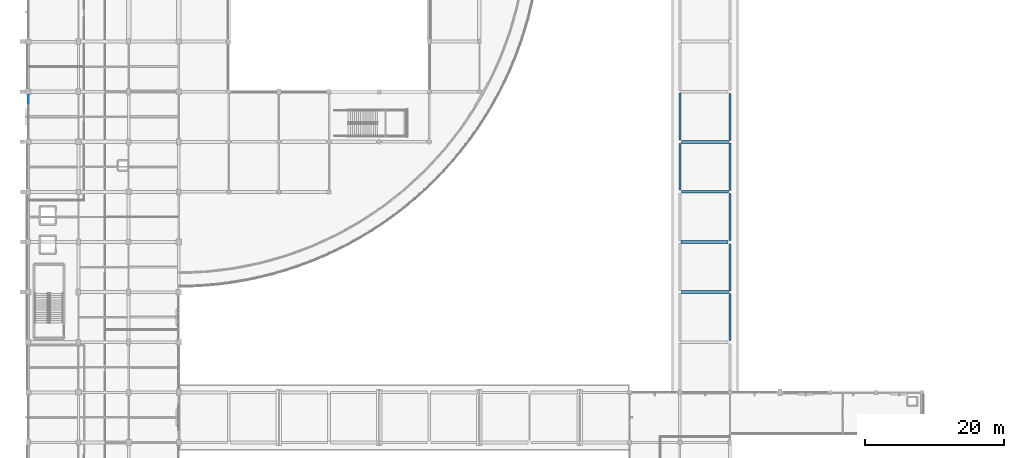
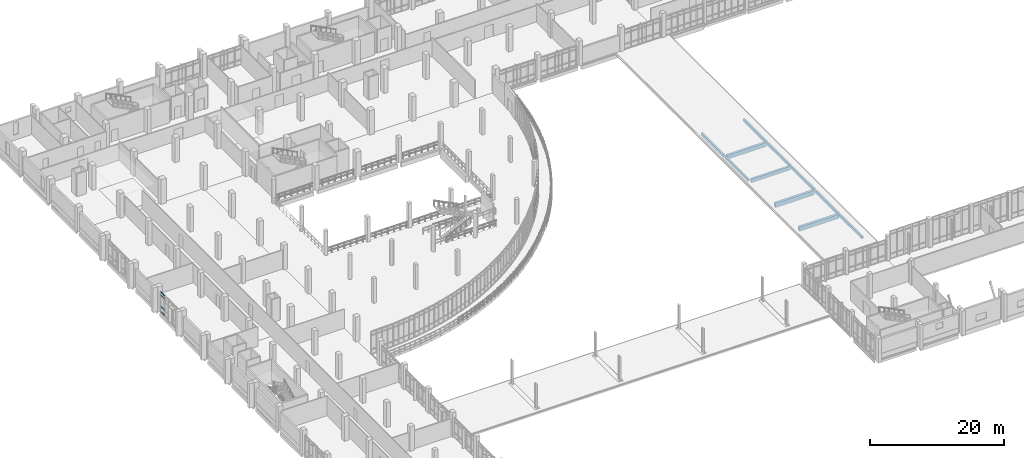
# One storey, part 47 of 134: 11 beams, 4 members, 1 element without a shape of its own.
"""IFC4 building model written with IfcOpenShell, lengths in metres."""

from ifc_helpers import new_model, si_unit, direction, frame, origin, origin_2d, place, context, subcontext, project, spatial, rectangle, hollow_rectangle, extrude, material, material_profile, profile_set, type_object, element, aggregate, save


model = new_model("IFC4")

# Units and contexts
model_context = context("Model", 3, precision=1e-05, world=origin(), true_north=direction((0.0, 1.0)))
body_context = subcontext(model_context, "Body", "Model", "MODEL_VIEW")
ifc_project = project(units=[si_unit("LENGTHUNIT", "METRE"), si_unit("AREAUNIT", "SQUARE_METRE"), si_unit("VOLUMEUNIT", "CUBIC_METRE"), si_unit("PLANEANGLEUNIT", "RADIAN"), si_unit("MASSUNIT", "GRAM", prefix="KILO")], contexts=[model_context])

# Site, building, storey
site_placement = place(None, origin())
site = spatial("IfcSite", under=ifc_project, at=site_placement, CompositionType="ELEMENT")
building_placement = place(site_placement, origin())
building = spatial("IfcBuilding", under=site, at=building_placement, Name="Kalluvel Institute of Natural Sciences", CompositionType="ELEMENT")
storey_placement = place(building_placement, frame((0.0, 0.0, 5.39990234375)))
storey = spatial("IfcBuildingStorey", under=building, at=storey_placement, Name="L01", CompositionType="ELEMENT", Elevation=5.39990234375)

# Beams
ifc_material_1 = material(Name="Concrete M40", Category="concrete")
ifc_material_profile_1 = material_profile(ifc_material_1, rectangle(XDim=0.3798828125, YDim=0.639892578125, at=origin_2d()), Name="RCB 380x640")
ifc_profile_set_1 = profile_set([ifc_material_profile_1], Name="Concrete M40")
beam_type_1 = type_object("IfcBeamType", Name="BM-RC380x640", PredefinedType="BEAM", material=ifc_profile_set_1)
beam_1_placement = place(storey_placement, frame((107.85009765625, 64.39990234375, -0.559814453125), z_axis=(1.0, 0.0, 0.0), x_axis=(0.0, 1.0, 0.0)))
element("IfcBeam", 1, at=beam_1_placement, inside=storey, type_object=beam_type_1, Name="L01 girder GIR-L01-EW-X1076-Y644", PredefinedType="BEAM", context=body_context, shape_type="SweptSolid", body=[
    extrude(rectangle(XDim=0.3798828125, YDim=0.639892578125, at=origin_2d()), origin(), (0.0, 0.0, 1.0), 6.724853515625),
])
ifc_material_profile_2 = material_profile(ifc_material_1, rectangle(XDim=0.419921875, YDim=0.719970703125, at=origin_2d()), Name="RCB 420x720")
ifc_profile_set_2 = profile_set([ifc_material_profile_2], Name="Concrete M40")
beam_type_2 = type_object("IfcBeamType", Name="BM-RC420x720", PredefinedType="BEAM", material=ifc_profile_set_2)
beam_2_placement = place(storey_placement, frame((107.824951171875, 71.60009765625, -0.599853515625), z_axis=(1.0, 0.0, 0.0), x_axis=(0.0, 1.0, 0.0)))
element("IfcBeam", 2, at=beam_2_placement, inside=storey, type_object=beam_type_2, Name="L01 girder GIR-L01-EW-X1076-Y716", PredefinedType="BEAM", context=body_context, shape_type="SweptSolid", body=[
    extrude(rectangle(XDim=0.419921875, YDim=0.719970703125, at=origin_2d()), origin(), (0.0, 0.0, 1.0), 6.775146484375),
])
ifc_material_profile_3 = material_profile(ifc_material_1, rectangle(XDim=0.449951171875, YDim=0.75, at=origin_2d()), Name="RCB 450x750")
ifc_profile_set_3 = profile_set([ifc_material_profile_3], Name="Concrete M40")
beam_type_3 = type_object("IfcBeamType", Name="BM-RC450x750", PredefinedType="BEAM", material=ifc_profile_set_3)
beam_3_placement = place(storey_placement, frame((107.824951171875, 50.0, -0.614990234375), z_axis=(1.0, 0.0, 0.0), x_axis=(0.0, 1.0, 0.0)))
element("IfcBeam", 3, at=beam_3_placement, inside=storey, type_object=beam_type_3, Name="L01 girder GIR-L01-EW-X1076-Y500", PredefinedType="BEAM", context=body_context, shape_type="SweptSolid", body=[
    extrude(rectangle(XDim=0.449951171875, YDim=0.75, at=origin_2d()), origin(), (0.0, 0.0, 1.0), 6.775146484375),
])
ifc_material_profile_4 = material_profile(ifc_material_1, rectangle(XDim=0.449951171875, YDim=0.800048828125, at=origin_2d()), Name="RCB 450x800")
ifc_profile_set_4 = profile_set([ifc_material_profile_4], Name="Concrete M40")
beam_type_4 = type_object("IfcBeamType", Name="BM-RC450x800", PredefinedType="BEAM", material=ifc_profile_set_4)
beam_4_placement = place(storey_placement, frame((107.800048828125, 57.199951171875, -0.639892578125), z_axis=(1.0, 0.0, 0.0), x_axis=(0.0, 1.0, 0.0)))
element("IfcBeam", 4, at=beam_4_placement, inside=storey, type_object=beam_type_4, Name="L01 girder GIR-L01-EW-X1076-Y572", PredefinedType="BEAM", context=body_context, shape_type="SweptSolid", body=[
    extrude(rectangle(XDim=0.449951171875, YDim=0.800048828125, at=origin_2d()), origin(), (0.0, 0.0, 1.0), 6.75),
])

# Curtain wall, members
ifc_material_2 = material(Name="Aluminium AW-6063 T6", Category="aluminium")
curtain_wall_type = type_object("IfcCurtainWallType", Name="CW-DRY-45", PredefinedType="USERDEFINED", material=ifc_material_2)
curtain_wall_placement = place(storey_placement, origin())
curtain_wall = element("IfcCurtainWall", 5, at=curtain_wall_placement, inside=storey, type_object=curtain_wall_type, Name="L01 Gothic lancet curtain wall CWA-L01-X140-Y720", ObjectType="UNITISED LANCET FACADE", PredefinedType="USERDEFINED")
ifc_material_profile_5 = material_profile(ifc_material_2, hollow_rectangle(XDim=0.06494140625, YDim=0.139892578125, WallThickness=0.00439453125, at=origin_2d()), Name="CWT 65x140")
ifc_profile_set_5 = profile_set([ifc_material_profile_5], Name="Aluminium AW-6063 T6")
member_type = type_object("IfcMemberType", Name="CWT-65x140", PredefinedType="USERDEFINED", material=ifc_profile_set_5)
member_1_placement = place(storey_placement, frame((14.0, 77.117431640625, 0.03271484375), z_axis=(0.0, 1.0, 0.0), x_axis=(-1.0, 0.0, 0.0)))
member_1 = element("IfcMember", 6, at=member_1_placement, type_object=member_type, Name="CW-03 transom 5.1", ObjectType="TRANSOM", PredefinedType="USERDEFINED", context=body_context, shape_type="SweptSolid", body=[
    extrude(hollow_rectangle(XDim=0.06494140625, YDim=0.139892578125, WallThickness=0.00439453125, at=origin_2d()), origin(), (0.0, 0.0, 1.0), 1.16748046875),
])
member_2_placement = place(storey_placement, frame((14.0, 77.117431640625, 0.9501953125), z_axis=(0.0, 1.0, 0.0), x_axis=(-1.0, 0.0, 0.0)))
member_2 = element("IfcMember", 7, at=member_2_placement, type_object=member_type, Name="CW-03 transom 5.2", ObjectType="TRANSOM", PredefinedType="USERDEFINED", context=body_context, shape_type="SweptSolid", body=[
    extrude(hollow_rectangle(XDim=0.06494140625, YDim=0.139892578125, WallThickness=0.00439453125, at=origin_2d()), origin(), (0.0, 0.0, 1.0), 1.16748046875),
])
member_3_placement = place(storey_placement, frame((14.0, 77.117431640625, 2.97021484375), z_axis=(0.0, 1.0, 0.0), x_axis=(-1.0, 0.0, 0.0)))
member_3 = element("IfcMember", 8, at=member_3_placement, type_object=member_type, Name="CW-03 transom 5.3", ObjectType="TRANSOM", PredefinedType="USERDEFINED", context=body_context, shape_type="SweptSolid", body=[
    extrude(hollow_rectangle(XDim=0.06494140625, YDim=0.139892578125, WallThickness=0.00439453125, at=origin_2d()), origin(), (0.0, 0.0, 1.0), 1.16748046875),
])
member_4_placement = place(storey_placement, frame((14.0, 77.117431640625, 3.587646484375), z_axis=(0.0, 1.0, 0.0), x_axis=(-1.0, 0.0, 0.0)))
member_4 = element("IfcMember", 9, at=member_4_placement, type_object=member_type, Name="CW-03 transom 5.4", ObjectType="TRANSOM", PredefinedType="USERDEFINED", context=body_context, shape_type="SweptSolid", body=[
    extrude(hollow_rectangle(XDim=0.06494140625, YDim=0.139892578125, WallThickness=0.00439453125, at=origin_2d()), origin(), (0.0, 0.0, 1.0), 1.16748046875),
])
aggregate(curtain_wall, [member_1, member_2, member_3, member_4])

# Beams
ifc_material_profile_6 = material_profile(ifc_material_1, rectangle(XDim=0.300048828125, YDim=0.449951171875, at=origin_2d()), Name="RCB 300x450")
ifc_profile_set_6 = profile_set([ifc_material_profile_6], Name="Concrete M40")
beam_type_5 = type_object("IfcBeamType", Name="SP-RC300x450", PredefinedType="SPANDREL", material=ifc_profile_set_6)
beam_5_placement = place(storey_placement, frame((107.60009765625, 64.64990234375, -0.544921875), z_axis=(0.0, 1.0, 0.0), x_axis=(-1.0, 0.0, 0.0)))
element("IfcBeam", 10, at=beam_5_placement, inside=storey, type_object=beam_type_5, Name="L01 girder GIR-L01-NS-X1076-Y644", PredefinedType="SPANDREL", context=body_context, shape_type="SweptSolid", body=[
    extrude(rectangle(XDim=0.300048828125, YDim=0.449951171875, at=origin_2d()), origin(), (0.0, 0.0, 1.0), 6.72509765625),
])
beam_6_placement = place(storey_placement, frame((107.60009765625, 71.824951171875, -0.544921875), z_axis=(0.0, 1.0, 0.0), x_axis=(-1.0, 0.0, 0.0)))
element("IfcBeam", 11, at=beam_6_placement, inside=storey, type_object=beam_type_5, Name="L01 girder GIR-L01-NS-X1076-Y716", PredefinedType="SPANDREL", context=body_context, shape_type="SweptSolid", body=[
    extrude(rectangle(XDim=0.300048828125, YDim=0.449951171875, at=origin_2d()), origin(), (0.0, 0.0, 1.0), 6.775146484375),
])
for number, where, z_axis, x_axis, name in (
    (12, (114.800048828125, 43.050048828125, -0.46484375), (0.0, 1.0, 0.0), (-1.0, 0.0, 0.0), "L01 girder GIR-L01-NS-X1148-Y428"),
    (13, (114.800048828125, 50.199951171875, -0.46484375), (0.0, 1.0, 0.0), (-1.0, 0.0, 0.0), "L01 girder GIR-L01-NS-X1148-Y500"),
):
    element("IfcBeam", number, at=place(storey_placement, frame(where, z_axis=z_axis, x_axis=x_axis)), inside=storey, type_object=beam_type_5, Name=name, PredefinedType="SPANDREL", context=body_context, shape_type="SweptSolid", body=[
        extrude(rectangle(XDim=0.300048828125, YDim=0.449951171875, at=origin_2d()), origin(), (0.0, 0.0, 1.0), 6.75),
    ])
beam_7_placement = place(storey_placement, frame((114.800048828125, 57.449951171875, -0.46484375), z_axis=(0.0, 1.0, 0.0), x_axis=(-1.0, 0.0, 0.0)))
element("IfcBeam", 14, at=beam_7_placement, inside=storey, type_object=beam_type_5, Name="L01 girder GIR-L01-NS-X1148-Y572", PredefinedType="SPANDREL", context=body_context, shape_type="SweptSolid", body=[
    extrude(rectangle(XDim=0.300048828125, YDim=0.449951171875, at=origin_2d()), origin(), (0.0, 0.0, 1.0), 6.72509765625),
])
beam_8_placement = place(storey_placement, frame((114.800048828125, 64.625, -0.46484375), z_axis=(0.0, 1.0, 0.0), x_axis=(-1.0, 0.0, 0.0)))
element("IfcBeam", 15, at=beam_8_placement, inside=storey, type_object=beam_type_5, Name="L01 girder GIR-L01-NS-X1148-Y644", PredefinedType="SPANDREL", context=body_context, shape_type="SweptSolid", body=[
    extrude(rectangle(XDim=0.300048828125, YDim=0.449951171875, at=origin_2d()), origin(), (0.0, 0.0, 1.0), 6.77490234375),
])
beam_9_placement = place(storey_placement, frame((114.800048828125, 71.800048828125, -0.46484375), z_axis=(0.0, 1.0, 0.0), x_axis=(-1.0, 0.0, 0.0)))
element("IfcBeam", 16, at=beam_9_placement, inside=storey, type_object=beam_type_5, Name="L01 girder GIR-L01-NS-X1148-Y716", PredefinedType="SPANDREL", context=body_context, shape_type="SweptSolid", body=[
    extrude(rectangle(XDim=0.300048828125, YDim=0.449951171875, at=origin_2d()), origin(), (0.0, 0.0, 1.0), 6.75),
])

save(model, "model.ifc")
